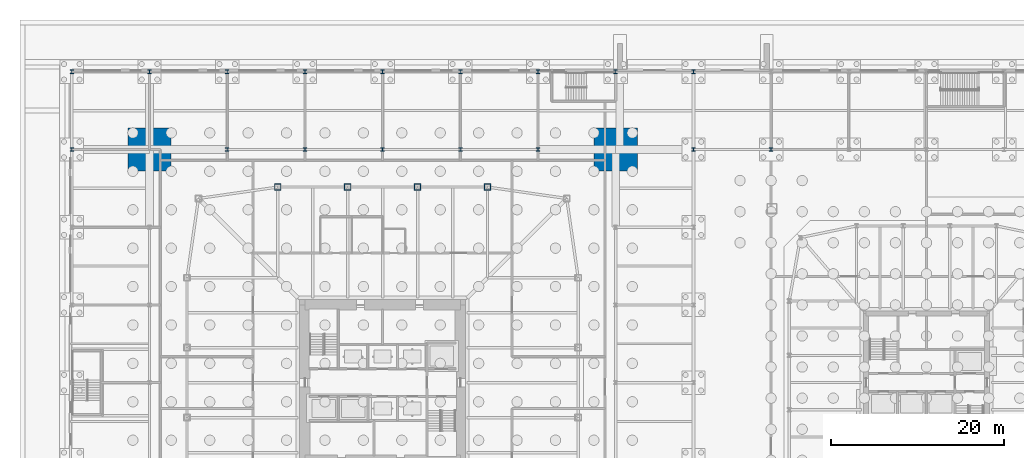
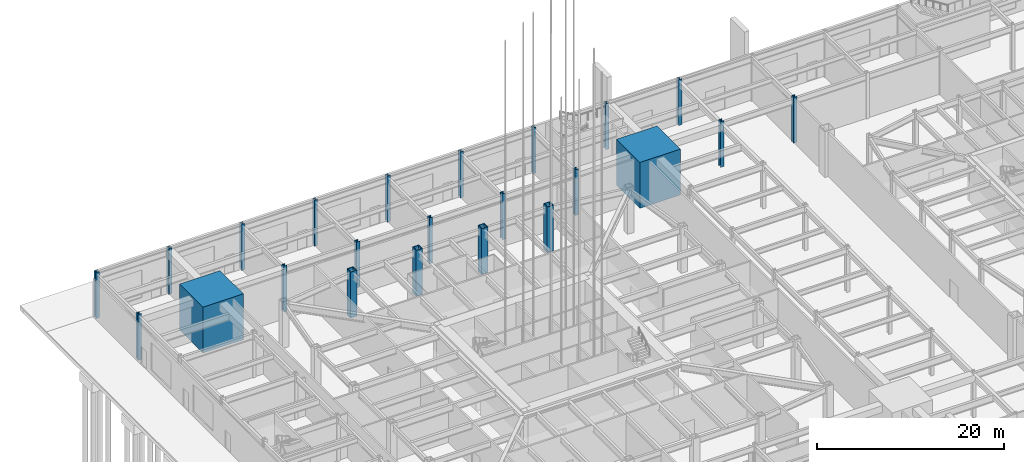
# One storey, part 7 of 37: 23 columns.
"""IFC4 building model written with IfcOpenShell, lengths in metres."""

from ifc_helpers import new_model, si_unit, direction, frame, origin, origin_2d, place, context, subcontext, project, spatial, rectangle, hollow_rectangle, i_section, extrude, material, material_profile, profile_set, type_object, element, save


model = new_model("IFC4")

# Units and contexts
model_context = context("Model", 3, precision=1e-05, world=origin(), true_north=direction((0.0, 1.0)))
body_context = subcontext(model_context, "Body", "Model", "MODEL_VIEW")
ifc_project = project(units=[si_unit("LENGTHUNIT", "METRE"), si_unit("AREAUNIT", "SQUARE_METRE"), si_unit("VOLUMEUNIT", "CUBIC_METRE"), si_unit("PLANEANGLEUNIT", "RADIAN"), si_unit("MASSUNIT", "GRAM", prefix="KILO")], contexts=[model_context])

# Site, building, storey
site_placement = place(None, origin())
site = spatial("IfcSite", under=ifc_project, at=site_placement, CompositionType="ELEMENT")
building_placement = place(site_placement, origin())
building = spatial("IfcBuilding", under=site, at=building_placement, Name="Iwan Alto Co-Living Towers", CompositionType="ELEMENT")
storey_placement = place(building_placement, origin())
storey = spatial("IfcBuildingStorey", under=building, at=storey_placement, Name="L00", CompositionType="ELEMENT", Elevation=0.0)

# Columns
ifc_material_1 = material(Name="Steel ASTM A992 Gr 50", Category="steel")
ifc_material_profile_1 = material_profile(ifc_material_1, i_section(OverallWidth=0.411376953125, OverallDepth=0.434326171875, WebThickness=0.035888671875, FlangeThickness=0.057373046875, at=origin_2d()), Name="W14X311")
ifc_profile_set_1 = profile_set([ifc_material_profile_1], Name="Steel ASTM A992 Gr 50")
column_type_1 = type_object("IfcColumnType", Name="PODIUM COLUMN W14X311", PredefinedType="COLUMN", material=ifc_profile_set_1)
for number, where, z_axis, x_axis, name in (
    (1, (-36.0, 27.0, 0.0), (0.0, 0.0, 1.0), (1.0, 0.0, 0.0), "Podium column 1/H L00"),
    (2, (-36.0, 36.0, 0.0), (0.0, 0.0, 1.0), (1.0, 0.0, 0.0), "Podium column 1/I L00"),
    (3, (-27.0, 36.0, 0.0), (0.0, 0.0, 1.0), (1.0, 0.0, 0.0), "Podium column 2/I L00"),
    (4, (-18.0, 27.0, 0.0), (0.0, 0.0, 1.0), (1.0, 0.0, 0.0), "Podium column 3/H L00"),
    (5, (-18.0, 36.0, 0.0), (0.0, 0.0, 1.0), (1.0, 0.0, 0.0), "Podium column 3/I L00"),
    (6, (-9.0, 27.0, 0.0), (0.0, 0.0, 1.0), (1.0, 0.0, 0.0), "Podium column 4/H L00"),
    (7, (-9.0, 36.0, 0.0), (0.0, 0.0, 1.0), (1.0, 0.0, 0.0), "Podium column 4/I L00"),
    (8, (0.0, 27.0, 0.0), (0.0, 0.0, 1.0), (1.0, 0.0, 0.0), "Podium column 5/H L00"),
    (9, (0.0, 36.0, 0.0), (0.0, 0.0, 1.0), (1.0, 0.0, 0.0), "Podium column 5/I L00"),
    (10, (9.0, 27.0, 0.0), (0.0, 0.0, 1.0), (1.0, 0.0, 0.0), "Podium column 6/H L00"),
    (11, (9.0, 36.0, 0.0), (0.0, 0.0, 1.0), (1.0, 0.0, 0.0), "Podium column 6/I L00"),
    (12, (18.0, 27.0, 0.0), (0.0, 0.0, 1.0), (1.0, 0.0, 0.0), "Podium column 7/H L00"),
    (13, (18.0, 36.0, 0.0), (0.0, 0.0, 1.0), (1.0, 0.0, 0.0), "Podium column 7/I L00"),
    (14, (27.0, 36.0, 0.0), (0.0, 0.0, 1.0), (1.0, 0.0, 0.0), "Podium column 8/I L00"),
    (15, (36.0, 27.0, 0.0), (0.0, 0.0, 1.0), (1.0, 0.0, 0.0), "Podium column 9/H L00"),
    (16, (36.0, 36.0, 0.0), (0.0, 0.0, 1.0), (1.0, 0.0, 0.0), "Podium column 9/I L00"),
    (17, (45.0, 27.0, 0.0), (0.0, 0.0, 1.0), (1.0, 0.0, 0.0), "Podium column 10/H L00"),
):
    element("IfcColumn", number, at=place(storey_placement, frame(where, z_axis=z_axis, x_axis=x_axis)), inside=storey, type_object=column_type_1, Name=name, PredefinedType="COLUMN", context=body_context, shape_type="SweptSolid", body=[
        extrude(i_section(OverallWidth=0.411376953125, OverallDepth=0.434326171875, WebThickness=0.035888671875, FlangeThickness=0.057373046875, at=origin_2d()), origin(), (0.0, 0.0, 1.0), 6.0),
    ])
ifc_material_2 = material(Name="Concrete f'c 70 MPa", Category="concrete")
ifc_material_profile_2 = material_profile(ifc_material_2, rectangle(XDim=5.0, YDim=5.0, at=origin_2d()), Name="RC 5000X5000")
ifc_profile_set_2 = profile_set([ifc_material_profile_2], Name="Concrete f'c 70 MPa")
column_type_2 = type_object("IfcColumnType", Name="T1 MEGA COLUMN RC 5000X5000", PredefinedType="COLUMN", material=ifc_profile_set_2)
for number, where, z_axis, x_axis, name in (
    (18, (27.0, 27.0, 0.0), (0.0, 0.0, 1.0), (1.0, 0.0, 0.0), "T1 mega column NE L00"),
    (19, (-27.0, 27.0, 0.0), (0.0, 0.0, 1.0), (1.0, 0.0, 0.0), "T1 mega column NW L00"),
):
    element("IfcColumn", number, at=place(storey_placement, frame(where, z_axis=z_axis, x_axis=x_axis)), inside=storey, type_object=column_type_2, Name=name, PredefinedType="COLUMN", context=body_context, shape_type="SweptSolid", body=[
        extrude(rectangle(XDim=5.0, YDim=5.0, at=origin_2d()), origin(), (0.0, 0.0, 1.0), 6.0),
        extrude(i_section(OverallWidth=0.4775390625, OverallDepth=0.599365234375, WebThickness=0.10009765625, FlangeThickness=0.139892578125, at=origin_2d()), origin(), (0.0, 0.0, 1.0), 6.0),
    ])
ifc_material_3 = material(Name="Steel ASTM A572 Gr 50", Category="steel")
ifc_material_profile_3 = material_profile(ifc_material_3, hollow_rectangle(XDim=0.800048828125, YDim=0.800048828125, WallThickness=0.090087890625, at=origin_2d()), Name="BOX 800X800X90")
ifc_profile_set_3 = profile_set([ifc_material_profile_3], Name="Steel ASTM A572 Gr 50")
column_type_3 = type_object("IfcColumnType", Name="T1 RING COLUMN BOX 800X800X90", PredefinedType="COLUMN", material=ifc_profile_set_3)
for number, where, z_axis, x_axis, name in (
    (20, (12.14990234375, 22.64990234375, 0.0), (0.0, 0.0, 1.0), (1.0, 0.0, 0.0), "T1 ring column N1 L00"),
    (21, (4.050048828125, 22.64990234375, 0.0), (0.0, 0.0, 1.0), (1.0, 0.0, 0.0), "T1 ring column N2 L00"),
    (22, (-4.050048828125, 22.64990234375, 0.0), (0.0, 0.0, 1.0), (1.0, 0.0, 0.0), "T1 ring column N3 L00"),
    (23, (-12.14990234375, 22.64990234375, 0.0), (0.0, 0.0, 1.0), (1.0, 0.0, 0.0), "T1 ring column N4 L00"),
):
    element("IfcColumn", number, at=place(storey_placement, frame(where, z_axis=z_axis, x_axis=x_axis)), inside=storey, type_object=column_type_3, Name=name, PredefinedType="COLUMN", context=body_context, shape_type="SweptSolid", body=[
        extrude(hollow_rectangle(XDim=0.800048828125, YDim=0.800048828125, WallThickness=0.090087890625, at=origin_2d()), origin(), (0.0, 0.0, 1.0), 6.0),
    ])

save(model, "model.ifc")
